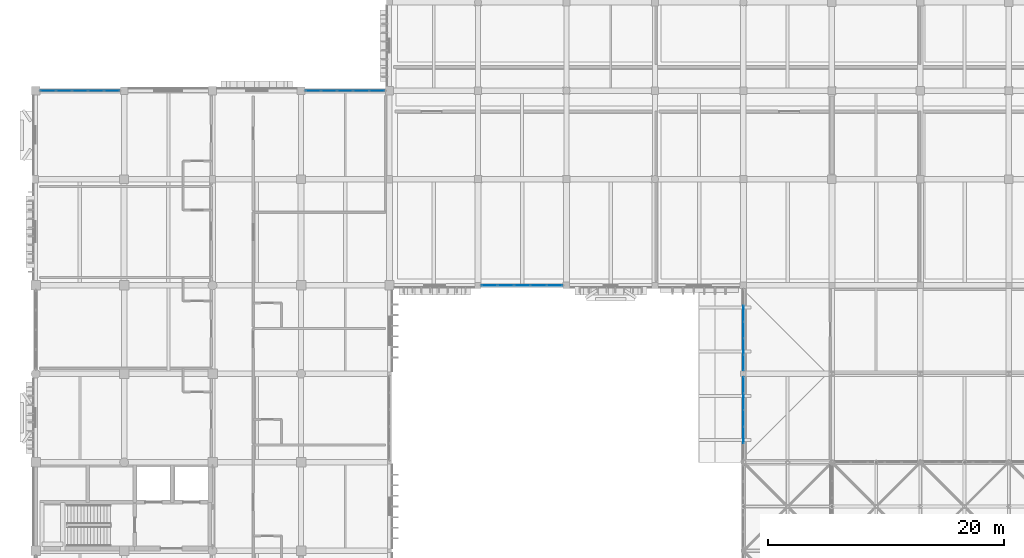
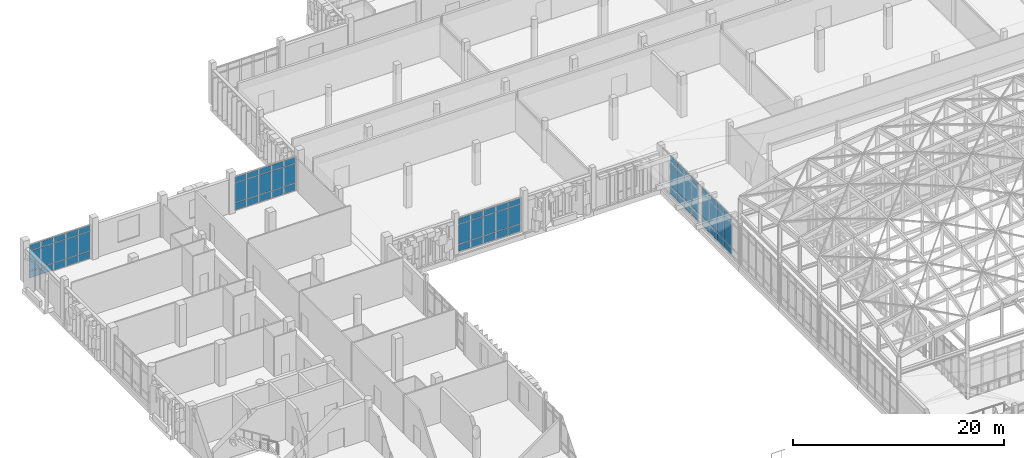
# One storey, part 87 of 131: 69 plates, 5 elements without a shape of their own.
"""IFC4 building model written with IfcOpenShell, lengths in metres."""

import ifcopenshell
import ifcopenshell.guid

model = None  # the IFC model being written
_history = None  # IfcOwnerHistory: only IFC2X3 demands one
_inside = {}  # id of a spatial element -> (the spatial element, [elements in it])
_under = {}  # id of a project, library or spatial element -> (it, [spatial elements below it])
_declared = {}  # id of a project -> (the project, [libraries it declares])
_typed = {}  # id of a type object -> (the type object, [elements of that type])
_made_of = {}  # id of a material, layer set ... -> (it, [elements and type objects made of it])


def new_model(schema):
    """Start an empty IFC model of exactly this schema.

    Asked for "IFC4X3", IfcOpenShell would pick the latest addendum, in which some entities
    have other attributes; the version numbers below select the first issue.
    IFC2X3 requires an IfcOwnerHistory on every rooted entity: one is made here for all.
    """
    global model, _history
    if schema == "IFC4X3":
        model = ifcopenshell.file(schema_version=(4, 3, 0, 0))
    else:
        model = ifcopenshell.file(schema=schema)
    _inside.clear()
    _under.clear()
    _declared.clear()
    _typed.clear()
    _made_of.clear()
    _history = None
    if model.schema == "IFC2X3":
        org = make("IfcOrganization", Name="unknown")
        user = make(
            "IfcPersonAndOrganization",
            ThePerson=make("IfcPerson", FamilyName="unknown"),
            TheOrganization=org,
        )
        app = make(
            "IfcApplication",
            ApplicationDeveloper=org,
            Version="unknown",
            ApplicationFullName="unknown",
            ApplicationIdentifier="unknown",
        )
        _history = make(
            "IfcOwnerHistory",
            OwningUser=user,
            OwningApplication=app,
            ChangeAction="ADDED",
            CreationDate=0,
        )
    return model


def make(cls, **values):
    """One entity of the class cls with the attributes given. An attribute that is None is left unset."""
    return model.create_entity(
        cls, **{name: value for name, value in values.items() if value is not None}
    )


def rooted(cls, **values):
    """An entity with a GlobalId (a new one), such as an element, a storey or a relation."""
    return make(cls, GlobalId=ifcopenshell.guid.new(), OwnerHistory=_history, **values)


def si_unit(unit_type, name, prefix=None):
    """IfcSIUnit, for example si_unit("LENGTHUNIT", "METRE", prefix="MILLI")."""
    return make("IfcSIUnit", UnitType=unit_type, Prefix=prefix, Name=name)


def assignment(units):
    """IfcUnitAssignment: the units of a project."""
    return None if units is None else make("IfcUnitAssignment", Units=units)


def point(xyz):
    """IfcCartesianPoint."""
    return None if xyz is None else make("IfcCartesianPoint", Coordinates=xyz)


def direction(xyz):
    """IfcDirection."""
    return None if xyz is None else make("IfcDirection", DirectionRatios=xyz)


def frame(location, z_axis=None, x_axis=None):
    """IfcAxis2Placement3D, a coordinate frame: its origin and axes. An axis left out is left unset."""
    return make(
        "IfcAxis2Placement3D",
        Location=point(location),
        Axis=direction(z_axis),
        RefDirection=direction(x_axis),
    )


def frame_2d(location, x_axis=None):
    """IfcAxis2Placement2D, a coordinate frame in the plane: its origin and x axis."""
    return make(
        "IfcAxis2Placement2D", Location=point(location), RefDirection=direction(x_axis)
    )


def origin():
    """The frame at (0, 0, 0) with its axes left unset."""
    return frame((0.0, 0.0, 0.0))


def origin_2d():
    """The frame at (0, 0) in the plane with its x axis left unset."""
    return frame_2d((0.0, 0.0))


def place(relative_to, where):
    """IfcLocalPlacement: puts the frame where relative to a parent placement (None: the world)."""
    return make(
        "IfcLocalPlacement", PlacementRelTo=relative_to, RelativePlacement=where
    )


def context(
    kind, dimensions, precision=None, world=None, true_north=None, identifier=None
):
    """IfcGeometricRepresentationContext, for example the 3D "Model" context."""
    return make(
        "IfcGeometricRepresentationContext",
        ContextIdentifier=identifier,
        ContextType=kind,
        CoordinateSpaceDimension=dimensions,
        Precision=precision,
        WorldCoordinateSystem=world,
        TrueNorth=true_north,
    )


def subcontext(parent, identifier, kind, view, scale=None):
    """IfcGeometricRepresentationSubContext, for example "Body" below "Model"."""
    return make(
        "IfcGeometricRepresentationSubContext",
        ContextIdentifier=identifier,
        ContextType=kind,
        ParentContext=parent,
        TargetScale=scale,
        TargetView=view,
    )


def project(units=None, contexts=None):
    """IfcProject with its units and contexts."""
    return rooted(
        "IfcProject",
        Name="project",
        RepresentationContexts=contexts,
        UnitsInContext=assignment(units),
    )


def spatial(cls, under=None, at=None, **own):
    """A site, building, storey or space (cls), placed at a placement, below another one or the project."""
    s = rooted(cls, ObjectPlacement=at, **own)
    if under is not None:
        _under.setdefault(under.id(), (under, []))[1].append(s)
    return s


def profile(cls, at=None, kind="AREA", **sizes):
    """A parametric profile (cls). Its sizes go by their IFC names, for example OverallWidth=200.0."""
    return make(cls, ProfileType=kind, Position=at, **sizes)


def rectangle(**sizes):
    """IfcRectangleProfileDef."""
    return profile("IfcRectangleProfileDef", **sizes)


def extrude(swept, where, along, depth):
    """IfcExtrudedAreaSolid: the profile swept, set in the frame where, extruded along a direction by depth."""
    return make(
        "IfcExtrudedAreaSolid",
        SweptArea=swept,
        Position=where,
        ExtrudedDirection=direction(along),
        Depth=depth,
    )


def shape(context_of_items, identifier, shape_type, items):
    """IfcShapeRepresentation: the items that make up one representation, for example the "Body"."""
    return make(
        "IfcShapeRepresentation",
        ContextOfItems=context_of_items,
        RepresentationIdentifier=identifier,
        RepresentationType=shape_type,
        Items=items,
    )


def material(Name=None, Category=None):
    """IfcMaterial."""
    return make("IfcMaterial", Name=Name, Category=Category)


def layer(
    of_material, thickness, ventilated=None, Name=None, Category=None, Priority=None
):
    """IfcMaterialLayer: one layer of a wall or slab, of a material (None: an air gap)."""
    return make(
        "IfcMaterialLayer",
        Material=of_material,
        LayerThickness=thickness,
        IsVentilated=ventilated,
        Name=Name,
        Category=Category,
        Priority=Priority,
    )


def layer_set(layers, Name=None):
    """IfcMaterialLayerSet."""
    return make("IfcMaterialLayerSet", MaterialLayers=layers, LayerSetName=Name)


def made_of(thing, what):
    """Note that an element or type object is made of a material, layer set ...; save() writes the relation."""
    if what is not None:
        _made_of.setdefault(what.id(), (what, []))[1].append(thing)
    return thing


def type_object(cls, material=None, **own):
    """A type object (cls), such as IfcWallType, which elements share."""
    return made_of(rooted(cls, **own), material)


def element(
    cls,
    number,
    at=None,
    inside=None,
    cuts=None,
    type_object=None,
    material=None,
    context=None,
    identifier="Body",
    shape_type=None,
    held_by="IfcProductDefinitionShape",
    body=None,
    shapes=None,
    **own,
):
    """One element of the class cls, such as IfcWall. Its Tag is "e" and its number.

    at: its placement. inside: the storey or other place that contains it. cuts: it is an
    opening in that element (IfcRelVoidsElement). A single representation is given by context,
    identifier, shape_type and body (its items); several are given by shapes. held_by: the class
    of the entity that holds the representations. save() writes the other relations.
    """
    e = rooted(cls, Tag="e%d" % number, ObjectPlacement=at, **own)
    if body is not None:
        shapes = [shape(context, identifier, shape_type, body)]
    if shapes is not None:
        e.Representation = make(held_by, Representations=shapes)
    if inside is not None:
        _inside.setdefault(inside.id(), (inside, []))[1].append(e)
    if cuts is not None:
        rooted(
            "IfcRelVoidsElement", RelatingBuildingElement=cuts, RelatedOpeningElement=e
        )
    if type_object is not None:
        _typed.setdefault(type_object.id(), (type_object, []))[1].append(e)
    return made_of(e, material)


def aggregate(whole, parts):
    """IfcRelAggregates: a whole, such as a stair, and the parts it consists of."""
    return rooted("IfcRelAggregates", RelatingObject=whole, RelatedObjects=parts)


def save(model, path):
    """Write the relations noted so far, then the file.

    IfcRelAggregates (storeys below a building ...), IfcRelContainedInSpatialStructure (elements
    in a storey), IfcRelDefinesByType, IfcRelAssociatesMaterial and IfcRelDeclares: one each for
    every whole, place, type object, material and project.
    """
    for whole, parts in _under.values():
        aggregate(whole, parts)
    for where, things in _inside.values():
        rooted(
            "IfcRelContainedInSpatialStructure",
            RelatedElements=things,
            RelatingStructure=where,
        )
    for kind, things in _typed.values():
        rooted("IfcRelDefinesByType", RelatedObjects=things, RelatingType=kind)
    for what, things in _made_of.values():
        rooted("IfcRelAssociatesMaterial", RelatedObjects=things, RelatingMaterial=what)
    for by, libraries in _declared.values():
        rooted("IfcRelDeclares", RelatingContext=by, RelatedDefinitions=libraries)
    model.write(path)


model = new_model("IFC4")

# Units and contexts
model_context = context("Model", 3, precision=1e-05, world=origin(), true_north=direction((0.0, 1.0)))
body_context = subcontext(model_context, "Body", "Model", "MODEL_VIEW")
ifc_project = project(units=[si_unit("LENGTHUNIT", "METRE"), si_unit("AREAUNIT", "SQUARE_METRE"), si_unit("VOLUMEUNIT", "CUBIC_METRE"), si_unit("PLANEANGLEUNIT", "RADIAN"), si_unit("MASSUNIT", "GRAM", prefix="KILO")], contexts=[model_context])

# Site, building, storey
site_placement = place(None, origin())
site = spatial("IfcSite", under=ifc_project, at=site_placement, CompositionType="ELEMENT")
building_placement = place(site_placement, origin())
building = spatial("IfcBuilding", under=site, at=building_placement, Name="Dalvernix Boulevard General Hospital", CompositionType="ELEMENT")
storey_placement = place(building_placement, frame((0.0, 0.0, 9.300048828125)))
storey = spatial("IfcBuildingStorey", under=building, at=storey_placement, Name="L02", CompositionType="ELEMENT", Elevation=9.300048828125)

# Curtain wall, plates
ifc_material_1 = material(Name="Thermally broken aluminium and solar-control glass curtain wall", Category="aluminium")
ifc_layer_1 = layer(ifc_material_1, 0.159912109375)
ifc_layer_set_1 = layer_set([ifc_layer_1], Name="Thermally broken aluminium and solar-control glass curtain wall (CW-CW-A-71x46)")
curtain_wall_type_1 = type_object("IfcCurtainWallType", Name="CW-CW-A-71x46", PredefinedType="USERDEFINED", material=ifc_layer_set_1)
curtain_wall_1_placement = place(storey_placement, origin())
curtain_wall_1 = element("IfcCurtainWall", 1, at=curtain_wall_1_placement, inside=storey, type_object=curtain_wall_type_1, Name="L02 curtain wall CW-A-71x46 8-8", ObjectType="GLAZED FACADE", PredefinedType="USERDEFINED")
ifc_material_2 = material(Name="Double-glazed solar-control low-emissivity glass", Category="glass")
ifc_layer_2 = layer(ifc_material_2, 0.02392578125)
ifc_layer_set_2 = layer_set([ifc_layer_2], Name="Double-glazed solar-control low-emissivity glass (PLT-CW-P1)")
plate_type_1 = type_object("IfcPlateType", Name="PLT-CW-P1", PredefinedType="CURTAIN_PANEL", material=ifc_layer_set_2)
plate_1_placement = place(storey_placement, frame((60.0, 63.8125, 0.059814453125), z_axis=(0.0, 0.0, 1.0), x_axis=(0.0, 1.0, 0.0)))
plate_1 = element("IfcPlate", 2, at=plate_1_placement, type_object=plate_type_1, Name="CW-A-71x46 panel 2.1", PredefinedType="CURTAIN_PANEL", context=body_context, shape_type="SweptSolid", body=[
    extrude(rectangle(XDim=1.35498046875, YDim=0.02392578125, at=origin_2d()), origin(), (0.0, 0.0, 1.0), 0.81005859375),
])
plate_2_placement = place(storey_placement, frame((60.0, 63.8125, 0.9296875), z_axis=(0.0, 0.0, 1.0), x_axis=(0.0, 1.0, 0.0)))
plate_2 = element("IfcPlate", 3, at=plate_2_placement, type_object=plate_type_1, Name="CW-A-71x46 panel 2.2", PredefinedType="CURTAIN_PANEL", context=body_context, shape_type="SweptSolid", body=[
    extrude(rectangle(XDim=1.35498046875, YDim=0.02392578125, at=origin_2d()), origin(), (0.0, 0.0, 1.0), 2.840087890625),
])
plate_3_placement = place(storey_placement, frame((60.0, 63.8125, 3.830078125), z_axis=(0.0, 0.0, 1.0), x_axis=(0.0, 1.0, 0.0)))
plate_3 = element("IfcPlate", 4, at=plate_3_placement, type_object=plate_type_1, Name="CW-A-71x46 panel 2.3", PredefinedType="CURTAIN_PANEL", context=body_context, shape_type="SweptSolid", body=[
    extrude(rectangle(XDim=1.35498046875, YDim=0.02392578125, at=origin_2d()), origin(), (0.0, 0.0, 1.0), 0.659912109375),
])
plate_4_placement = place(storey_placement, frame((60.0, 65.2275390625, 0.059814453125), z_axis=(0.0, 0.0, 1.0), x_axis=(0.0, 1.0, 0.0)))
plate_4 = element("IfcPlate", 5, at=plate_4_placement, type_object=plate_type_1, Name="CW-A-71x46 panel 3.1", PredefinedType="CURTAIN_PANEL", context=body_context, shape_type="SweptSolid", body=[
    extrude(rectangle(XDim=1.35498046875, YDim=0.02392578125, at=origin_2d()), origin(), (0.0, 0.0, 1.0), 0.81005859375),
])
plate_5_placement = place(storey_placement, frame((60.0, 65.2275390625, 0.9296875), z_axis=(0.0, 0.0, 1.0), x_axis=(0.0, 1.0, 0.0)))
plate_5 = element("IfcPlate", 6, at=plate_5_placement, type_object=plate_type_1, Name="CW-A-71x46 panel 3.2", PredefinedType="CURTAIN_PANEL", context=body_context, shape_type="SweptSolid", body=[
    extrude(rectangle(XDim=1.35498046875, YDim=0.02392578125, at=origin_2d()), origin(), (0.0, 0.0, 1.0), 2.840087890625),
])
plate_6_placement = place(storey_placement, frame((60.0, 65.2275390625, 3.830078125), z_axis=(0.0, 0.0, 1.0), x_axis=(0.0, 1.0, 0.0)))
plate_6 = element("IfcPlate", 7, at=plate_6_placement, type_object=plate_type_1, Name="CW-A-71x46 panel 3.3", PredefinedType="CURTAIN_PANEL", context=body_context, shape_type="SweptSolid", body=[
    extrude(rectangle(XDim=1.35498046875, YDim=0.02392578125, at=origin_2d()), origin(), (0.0, 0.0, 1.0), 0.659912109375),
])
plate_7_placement = place(storey_placement, frame((60.0, 66.642578125, 0.059814453125), z_axis=(0.0, 0.0, 1.0), x_axis=(0.0, 1.0, 0.0)))
plate_7 = element("IfcPlate", 8, at=plate_7_placement, type_object=plate_type_1, Name="CW-A-71x46 panel 4.1", PredefinedType="CURTAIN_PANEL", context=body_context, shape_type="SweptSolid", body=[
    extrude(rectangle(XDim=1.35498046875, YDim=0.02392578125, at=origin_2d()), origin(), (0.0, 0.0, 1.0), 0.81005859375),
])
plate_8_placement = place(storey_placement, frame((60.0, 66.642578125, 0.9296875), z_axis=(0.0, 0.0, 1.0), x_axis=(0.0, 1.0, 0.0)))
plate_8 = element("IfcPlate", 9, at=plate_8_placement, type_object=plate_type_1, Name="CW-A-71x46 panel 4.2", PredefinedType="CURTAIN_PANEL", context=body_context, shape_type="SweptSolid", body=[
    extrude(rectangle(XDim=1.35498046875, YDim=0.02392578125, at=origin_2d()), origin(), (0.0, 0.0, 1.0), 2.840087890625),
])
plate_9_placement = place(storey_placement, frame((60.0, 66.642578125, 3.830078125), z_axis=(0.0, 0.0, 1.0), x_axis=(0.0, 1.0, 0.0)))
plate_9 = element("IfcPlate", 10, at=plate_9_placement, type_object=plate_type_1, Name="CW-A-71x46 panel 4.3", PredefinedType="CURTAIN_PANEL", context=body_context, shape_type="SweptSolid", body=[
    extrude(rectangle(XDim=1.35498046875, YDim=0.02392578125, at=origin_2d()), origin(), (0.0, 0.0, 1.0), 0.659912109375),
])
plate_10_placement = place(storey_placement, frame((60.0, 68.04248046875, 0.059814453125), z_axis=(0.0, 0.0, 1.0), x_axis=(0.0, 1.0, 0.0)))
plate_10 = element("IfcPlate", 11, at=plate_10_placement, type_object=plate_type_1, Name="CW-A-71x46 panel 5.1", PredefinedType="CURTAIN_PANEL", context=body_context, shape_type="SweptSolid", body=[
    extrude(rectangle(XDim=1.324951171875, YDim=0.02392578125, at=origin_2d()), origin(), (0.0, 0.0, 1.0), 0.81005859375),
])
plate_11_placement = place(storey_placement, frame((60.0, 68.04248046875, 0.9296875), z_axis=(0.0, 0.0, 1.0), x_axis=(0.0, 1.0, 0.0)))
plate_11 = element("IfcPlate", 12, at=plate_11_placement, type_object=plate_type_1, Name="CW-A-71x46 panel 5.2", PredefinedType="CURTAIN_PANEL", context=body_context, shape_type="SweptSolid", body=[
    extrude(rectangle(XDim=1.324951171875, YDim=0.02392578125, at=origin_2d()), origin(), (0.0, 0.0, 1.0), 2.840087890625),
])
plate_12_placement = place(storey_placement, frame((60.0, 68.04248046875, 3.830078125), z_axis=(0.0, 0.0, 1.0), x_axis=(0.0, 1.0, 0.0)))
plate_12 = element("IfcPlate", 13, at=plate_12_placement, type_object=plate_type_1, Name="CW-A-71x46 panel 5.3", PredefinedType="CURTAIN_PANEL", context=body_context, shape_type="SweptSolid", body=[
    extrude(rectangle(XDim=1.324951171875, YDim=0.02392578125, at=origin_2d()), origin(), (0.0, 0.0, 1.0), 0.659912109375),
])
aggregate(curtain_wall_1, [plate_1, plate_2, plate_3, plate_4, plate_5, plate_6, plate_7, plate_8, plate_9, plate_10, plate_11, plate_12])

ifc_layer_3 = layer(ifc_material_1, 0.179931640625)
ifc_layer_set_3 = layer_set([ifc_layer_3], Name="Thermally broken aluminium and solar-control glass curtain wall (CW-CW-B-70x46)")
curtain_wall_type_2 = type_object("IfcCurtainWallType", Name="CW-CW-B-70x46", PredefinedType="USERDEFINED", material=ifc_layer_set_3)
curtain_wall_2_placement = place(storey_placement, origin())
curtain_wall_2 = element("IfcCurtainWall", 14, at=curtain_wall_2_placement, inside=storey, type_object=curtain_wall_type_2, Name="L02 curtain wall CW-B-70x46 8-9", ObjectType="GLAZED FACADE", PredefinedType="USERDEFINED")
ifc_layer_4 = layer(ifc_material_2, 0.028076171875)
ifc_layer_set_4 = layer_set([ifc_layer_4], Name="Double-glazed solar-control low-emissivity glass (PLT-CW-P2)")
plate_type_2 = type_object("IfcPlateType", Name="PLT-CW-P2", PredefinedType="CURTAIN_PANEL", material=ifc_layer_set_4)
plate_13_placement = place(storey_placement, frame((60.0, 69.94921875, 0.06494140625), z_axis=(0.0, 0.0, 1.0), x_axis=(0.0, 1.0, 0.0)))
plate_13 = element("IfcPlate", 15, at=plate_13_placement, type_object=plate_type_2, Name="CW-B-70x46 panel 1.1", PredefinedType="CURTAIN_PANEL", context=body_context, shape_type="SweptSolid", body=[
    extrude(rectangle(XDim=1.298583984375, YDim=0.028076171875, at=origin_2d()), origin(), (0.0, 0.0, 1.0), 0.802490234375),
])
plate_14_placement = place(storey_placement, frame((60.0, 69.94921875, 0.932373046875), z_axis=(0.0, 0.0, 1.0), x_axis=(0.0, 1.0, 0.0)))
plate_14 = element("IfcPlate", 16, at=plate_14_placement, type_object=plate_type_2, Name="CW-B-70x46 panel 1.2", PredefinedType="CURTAIN_PANEL", context=body_context, shape_type="SweptSolid", body=[
    extrude(rectangle(XDim=1.298583984375, YDim=0.028076171875, at=origin_2d()), origin(), (0.0, 0.0, 1.0), 2.8349609375),
])
plate_15_placement = place(storey_placement, frame((60.0, 69.94921875, 3.83251953125), z_axis=(0.0, 0.0, 1.0), x_axis=(0.0, 1.0, 0.0)))
plate_15 = element("IfcPlate", 17, at=plate_15_placement, type_object=plate_type_2, Name="CW-B-70x46 panel 1.3", PredefinedType="CURTAIN_PANEL", context=body_context, shape_type="SweptSolid", body=[
    extrude(rectangle(XDim=1.298583984375, YDim=0.028076171875, at=origin_2d()), origin(), (0.0, 0.0, 1.0), 0.652587890625),
])
plate_16_placement = place(storey_placement, frame((60.0, 71.3291015625, 0.06494140625), z_axis=(0.0, 0.0, 1.0), x_axis=(0.0, 1.0, 0.0)))
plate_16 = element("IfcPlate", 18, at=plate_16_placement, type_object=plate_type_2, Name="CW-B-70x46 panel 2.1", PredefinedType="CURTAIN_PANEL", context=body_context, shape_type="SweptSolid", body=[
    extrude(rectangle(XDim=1.3310546875, YDim=0.028076171875, at=origin_2d()), origin(), (0.0, 0.0, 1.0), 0.802490234375),
])
plate_17_placement = place(storey_placement, frame((60.0, 71.3291015625, 0.932373046875), z_axis=(0.0, 0.0, 1.0), x_axis=(0.0, 1.0, 0.0)))
plate_17 = element("IfcPlate", 19, at=plate_17_placement, type_object=plate_type_2, Name="CW-B-70x46 panel 2.2", PredefinedType="CURTAIN_PANEL", context=body_context, shape_type="SweptSolid", body=[
    extrude(rectangle(XDim=1.3310546875, YDim=0.028076171875, at=origin_2d()), origin(), (0.0, 0.0, 1.0), 2.8349609375),
])
plate_18_placement = place(storey_placement, frame((60.0, 71.3291015625, 3.83251953125), z_axis=(0.0, 0.0, 1.0), x_axis=(0.0, 1.0, 0.0)))
plate_18 = element("IfcPlate", 20, at=plate_18_placement, type_object=plate_type_2, Name="CW-B-70x46 panel 2.3", PredefinedType="CURTAIN_PANEL", context=body_context, shape_type="SweptSolid", body=[
    extrude(rectangle(XDim=1.3310546875, YDim=0.028076171875, at=origin_2d()), origin(), (0.0, 0.0, 1.0), 0.652587890625),
])
plate_19_placement = place(storey_placement, frame((60.0, 72.72509765625, 0.06494140625), z_axis=(0.0, 0.0, 1.0), x_axis=(0.0, 1.0, 0.0)))
plate_19 = element("IfcPlate", 21, at=plate_19_placement, type_object=plate_type_2, Name="CW-B-70x46 panel 3.1", PredefinedType="CURTAIN_PANEL", context=body_context, shape_type="SweptSolid", body=[
    extrude(rectangle(XDim=1.3310546875, YDim=0.028076171875, at=origin_2d()), origin(), (0.0, 0.0, 1.0), 0.802490234375),
])
plate_20_placement = place(storey_placement, frame((60.0, 72.72509765625, 0.932373046875), z_axis=(0.0, 0.0, 1.0), x_axis=(0.0, 1.0, 0.0)))
plate_20 = element("IfcPlate", 22, at=plate_20_placement, type_object=plate_type_2, Name="CW-B-70x46 panel 3.2", PredefinedType="CURTAIN_PANEL", context=body_context, shape_type="SweptSolid", body=[
    extrude(rectangle(XDim=1.3310546875, YDim=0.028076171875, at=origin_2d()), origin(), (0.0, 0.0, 1.0), 2.8349609375),
])
plate_21_placement = place(storey_placement, frame((60.0, 72.72509765625, 3.83251953125), z_axis=(0.0, 0.0, 1.0), x_axis=(0.0, 1.0, 0.0)))
plate_21 = element("IfcPlate", 23, at=plate_21_placement, type_object=plate_type_2, Name="CW-B-70x46 panel 3.3", PredefinedType="CURTAIN_PANEL", context=body_context, shape_type="SweptSolid", body=[
    extrude(rectangle(XDim=1.3310546875, YDim=0.028076171875, at=origin_2d()), origin(), (0.0, 0.0, 1.0), 0.652587890625),
])
plate_22_placement = place(storey_placement, frame((60.0, 74.12109375, 0.06494140625), z_axis=(0.0, 0.0, 1.0), x_axis=(0.0, 1.0, 0.0)))
plate_22 = element("IfcPlate", 24, at=plate_22_placement, type_object=plate_type_2, Name="CW-B-70x46 panel 4.1", PredefinedType="CURTAIN_PANEL", context=body_context, shape_type="SweptSolid", body=[
    extrude(rectangle(XDim=1.3310546875, YDim=0.028076171875, at=origin_2d()), origin(), (0.0, 0.0, 1.0), 0.802490234375),
])
plate_23_placement = place(storey_placement, frame((60.0, 74.12109375, 0.932373046875), z_axis=(0.0, 0.0, 1.0), x_axis=(0.0, 1.0, 0.0)))
plate_23 = element("IfcPlate", 25, at=plate_23_placement, type_object=plate_type_2, Name="CW-B-70x46 panel 4.2", PredefinedType="CURTAIN_PANEL", context=body_context, shape_type="SweptSolid", body=[
    extrude(rectangle(XDim=1.3310546875, YDim=0.028076171875, at=origin_2d()), origin(), (0.0, 0.0, 1.0), 2.8349609375),
])
plate_24_placement = place(storey_placement, frame((60.0, 74.12109375, 3.83251953125), z_axis=(0.0, 0.0, 1.0), x_axis=(0.0, 1.0, 0.0)))
plate_24 = element("IfcPlate", 26, at=plate_24_placement, type_object=plate_type_2, Name="CW-B-70x46 panel 4.3", PredefinedType="CURTAIN_PANEL", context=body_context, shape_type="SweptSolid", body=[
    extrude(rectangle(XDim=1.3310546875, YDim=0.028076171875, at=origin_2d()), origin(), (0.0, 0.0, 1.0), 0.652587890625),
])
aggregate(curtain_wall_2, [plate_13, plate_14, plate_15, plate_16, plate_17, plate_18, plate_19, plate_20, plate_21, plate_22, plate_23, plate_24])

ifc_layer_5 = layer(ifc_material_1, 0.199951171875)
ifc_layer_set_5 = layer_set([ifc_layer_5], Name="Thermally broken aluminium and solar-control glass curtain wall (CW-CW-C-68x40)")
curtain_wall_type_3 = type_object("IfcCurtainWallType", Name="CW-CW-C-68x40", PredefinedType="USERDEFINED", material=ifc_layer_set_5)
curtain_wall_3_placement = place(storey_placement, origin())
curtain_wall_3 = element("IfcCurtainWall", 27, at=curtain_wall_3_placement, inside=storey, type_object=curtain_wall_type_3, Name="L02 curtain wall CW-C-68x40 0-12", ObjectType="GLAZED FACADE", PredefinedType="USERDEFINED")
ifc_layer_6 = layer(ifc_material_2, 0.035888671875)
ifc_layer_set_6 = layer_set([ifc_layer_6], Name="Double-glazed solar-control low-emissivity glass (PLT-CW-P3)")
plate_type_3 = type_object("IfcPlateType", Name="PLT-CW-P3", PredefinedType="CURTAIN_PANEL", material=ifc_layer_set_6)
plate_25_placement = place(storey_placement, frame((1.05810546875, 93.0, 0.070068359375), z_axis=(0.0, 0.0, 1.0), x_axis=(1.0, 0.0, 0.0)))
plate_25 = element("IfcPlate", 28, at=plate_25_placement, type_object=plate_type_3, Name="CW-C-68x40 panel 1.1", PredefinedType="CURTAIN_PANEL", context=body_context, shape_type="SweptSolid", body=[
    extrude(rectangle(XDim=1.256103515625, YDim=0.035888671875, at=origin_2d()), origin(), (0.0, 0.0, 1.0), 0.794921875),
])
plate_26_placement = place(storey_placement, frame((1.05810546875, 93.0, 0.93505859375), z_axis=(0.0, 0.0, 1.0), x_axis=(1.0, 0.0, 0.0)))
plate_26 = element("IfcPlate", 29, at=plate_26_placement, type_object=plate_type_3, Name="CW-C-68x40 panel 1.2", PredefinedType="CURTAIN_PANEL", context=body_context, shape_type="SweptSolid", body=[
    extrude(rectangle(XDim=1.256103515625, YDim=0.035888671875, at=origin_2d()), origin(), (0.0, 0.0, 1.0), 2.22998046875),
])
plate_27_placement = place(storey_placement, frame((1.05810546875, 93.0, 3.23486328125), z_axis=(0.0, 0.0, 1.0), x_axis=(1.0, 0.0, 0.0)))
plate_27 = element("IfcPlate", 30, at=plate_27_placement, type_object=plate_type_3, Name="CW-C-68x40 panel 1.3", PredefinedType="CURTAIN_PANEL", context=body_context, shape_type="SweptSolid", body=[
    extrude(rectangle(XDim=1.256103515625, YDim=0.035888671875, at=origin_2d()), origin(), (0.0, 0.0, 1.0), 0.64501953125),
])
plate_28_placement = place(storey_placement, frame((2.401611328125, 93.0, 0.070068359375), z_axis=(0.0, 0.0, 1.0), x_axis=(1.0, 0.0, 0.0)))
plate_28 = element("IfcPlate", 31, at=plate_28_placement, type_object=plate_type_3, Name="CW-C-68x40 panel 2.1", PredefinedType="CURTAIN_PANEL", context=body_context, shape_type="SweptSolid", body=[
    extrude(rectangle(XDim=1.291015625, YDim=0.035888671875, at=origin_2d()), origin(), (0.0, 0.0, 1.0), 0.794921875),
])
plate_29_placement = place(storey_placement, frame((2.401611328125, 93.0, 0.93505859375), z_axis=(0.0, 0.0, 1.0), x_axis=(1.0, 0.0, 0.0)))
plate_29 = element("IfcPlate", 32, at=plate_29_placement, type_object=plate_type_3, Name="CW-C-68x40 panel 2.2", PredefinedType="CURTAIN_PANEL", context=body_context, shape_type="SweptSolid", body=[
    extrude(rectangle(XDim=1.291015625, YDim=0.035888671875, at=origin_2d()), origin(), (0.0, 0.0, 1.0), 2.22998046875),
])
plate_30_placement = place(storey_placement, frame((2.401611328125, 93.0, 3.23486328125), z_axis=(0.0, 0.0, 1.0), x_axis=(1.0, 0.0, 0.0)))
plate_30 = element("IfcPlate", 33, at=plate_30_placement, type_object=plate_type_3, Name="CW-C-68x40 panel 2.3", PredefinedType="CURTAIN_PANEL", context=body_context, shape_type="SweptSolid", body=[
    extrude(rectangle(XDim=1.291015625, YDim=0.035888671875, at=origin_2d()), origin(), (0.0, 0.0, 1.0), 0.64501953125),
])
plate_31_placement = place(storey_placement, frame((3.762451171875, 93.0, 0.070068359375), z_axis=(0.0, 0.0, 1.0), x_axis=(1.0, 0.0, 0.0)))
plate_31 = element("IfcPlate", 34, at=plate_31_placement, type_object=plate_type_3, Name="CW-C-68x40 panel 3.1", PredefinedType="CURTAIN_PANEL", context=body_context, shape_type="SweptSolid", body=[
    extrude(rectangle(XDim=1.291015625, YDim=0.035888671875, at=origin_2d()), origin(), (0.0, 0.0, 1.0), 0.794921875),
])
plate_32_placement = place(storey_placement, frame((3.762451171875, 93.0, 0.93505859375), z_axis=(0.0, 0.0, 1.0), x_axis=(1.0, 0.0, 0.0)))
plate_32 = element("IfcPlate", 35, at=plate_32_placement, type_object=plate_type_3, Name="CW-C-68x40 panel 3.2", PredefinedType="CURTAIN_PANEL", context=body_context, shape_type="SweptSolid", body=[
    extrude(rectangle(XDim=1.291015625, YDim=0.035888671875, at=origin_2d()), origin(), (0.0, 0.0, 1.0), 2.22998046875),
])
plate_33_placement = place(storey_placement, frame((3.762451171875, 93.0, 3.23486328125), z_axis=(0.0, 0.0, 1.0), x_axis=(1.0, 0.0, 0.0)))
plate_33 = element("IfcPlate", 36, at=plate_33_placement, type_object=plate_type_3, Name="CW-C-68x40 panel 3.3", PredefinedType="CURTAIN_PANEL", context=body_context, shape_type="SweptSolid", body=[
    extrude(rectangle(XDim=1.291015625, YDim=0.035888671875, at=origin_2d()), origin(), (0.0, 0.0, 1.0), 0.64501953125),
])
plate_34_placement = place(storey_placement, frame((5.12353515625, 93.0, 0.070068359375), z_axis=(0.0, 0.0, 1.0), x_axis=(1.0, 0.0, 0.0)))
plate_34 = element("IfcPlate", 37, at=plate_34_placement, type_object=plate_type_3, Name="CW-C-68x40 panel 4.1", PredefinedType="CURTAIN_PANEL", context=body_context, shape_type="SweptSolid", body=[
    extrude(rectangle(XDim=1.291015625, YDim=0.035888671875, at=origin_2d()), origin(), (0.0, 0.0, 1.0), 0.794921875),
])
plate_35_placement = place(storey_placement, frame((5.12353515625, 93.0, 0.93505859375), z_axis=(0.0, 0.0, 1.0), x_axis=(1.0, 0.0, 0.0)))
plate_35 = element("IfcPlate", 38, at=plate_35_placement, type_object=plate_type_3, Name="CW-C-68x40 panel 4.2", PredefinedType="CURTAIN_PANEL", context=body_context, shape_type="SweptSolid", body=[
    extrude(rectangle(XDim=1.291015625, YDim=0.035888671875, at=origin_2d()), origin(), (0.0, 0.0, 1.0), 2.22998046875),
])
plate_36_placement = place(storey_placement, frame((5.12353515625, 93.0, 3.23486328125), z_axis=(0.0, 0.0, 1.0), x_axis=(1.0, 0.0, 0.0)))
plate_36 = element("IfcPlate", 39, at=plate_36_placement, type_object=plate_type_3, Name="CW-C-68x40 panel 4.3", PredefinedType="CURTAIN_PANEL", context=body_context, shape_type="SweptSolid", body=[
    extrude(rectangle(XDim=1.291015625, YDim=0.035888671875, at=origin_2d()), origin(), (0.0, 0.0, 1.0), 0.64501953125),
])
plate_37_placement = place(storey_placement, frame((6.467041015625, 93.0, 0.070068359375), z_axis=(0.0, 0.0, 1.0), x_axis=(1.0, 0.0, 0.0)))
plate_37 = element("IfcPlate", 40, at=plate_37_placement, type_object=plate_type_3, Name="CW-C-68x40 panel 5.1", PredefinedType="CURTAIN_PANEL", context=body_context, shape_type="SweptSolid", body=[
    extrude(rectangle(XDim=1.256103515625, YDim=0.035888671875, at=origin_2d()), origin(), (0.0, 0.0, 1.0), 0.794921875),
])
plate_38_placement = place(storey_placement, frame((6.467041015625, 93.0, 0.93505859375), z_axis=(0.0, 0.0, 1.0), x_axis=(1.0, 0.0, 0.0)))
plate_38 = element("IfcPlate", 41, at=plate_38_placement, type_object=plate_type_3, Name="CW-C-68x40 panel 5.2", PredefinedType="CURTAIN_PANEL", context=body_context, shape_type="SweptSolid", body=[
    extrude(rectangle(XDim=1.256103515625, YDim=0.035888671875, at=origin_2d()), origin(), (0.0, 0.0, 1.0), 2.22998046875),
])
plate_39_placement = place(storey_placement, frame((6.467041015625, 93.0, 3.23486328125), z_axis=(0.0, 0.0, 1.0), x_axis=(1.0, 0.0, 0.0)))
plate_39 = element("IfcPlate", 42, at=plate_39_placement, type_object=plate_type_3, Name="CW-C-68x40 panel 5.3", PredefinedType="CURTAIN_PANEL", context=body_context, shape_type="SweptSolid", body=[
    extrude(rectangle(XDim=1.256103515625, YDim=0.035888671875, at=origin_2d()), origin(), (0.0, 0.0, 1.0), 0.64501953125),
])
aggregate(curtain_wall_3, [plate_25, plate_26, plate_27, plate_28, plate_29, plate_30, plate_31, plate_32, plate_33, plate_34, plate_35, plate_36, plate_37, plate_38, plate_39])

curtain_wall_4_placement = place(storey_placement, origin())
curtain_wall_4 = element("IfcCurtainWall", 43, at=curtain_wall_4_placement, inside=storey, type_object=curtain_wall_type_3, Name="L02 curtain wall CW-C-68x40 3-12", ObjectType="GLAZED FACADE", PredefinedType="USERDEFINED")
plate_40_placement = place(storey_placement, frame((23.532958984375, 93.0, 0.070068359375), z_axis=(0.0, 0.0, 1.0), x_axis=(1.0, 0.0, 0.0)))
plate_40 = element("IfcPlate", 44, at=plate_40_placement, type_object=plate_type_3, Name="CW-C-68x40 panel 1.1", PredefinedType="CURTAIN_PANEL", context=body_context, shape_type="SweptSolid", body=[
    extrude(rectangle(XDim=1.256103515625, YDim=0.035888671875, at=origin_2d()), origin(), (0.0, 0.0, 1.0), 0.794921875),
])
plate_41_placement = place(storey_placement, frame((23.532958984375, 93.0, 0.93505859375), z_axis=(0.0, 0.0, 1.0), x_axis=(1.0, 0.0, 0.0)))
plate_41 = element("IfcPlate", 45, at=plate_41_placement, type_object=plate_type_3, Name="CW-C-68x40 panel 1.2", PredefinedType="CURTAIN_PANEL", context=body_context, shape_type="SweptSolid", body=[
    extrude(rectangle(XDim=1.256103515625, YDim=0.035888671875, at=origin_2d()), origin(), (0.0, 0.0, 1.0), 2.22998046875),
])
plate_42_placement = place(storey_placement, frame((23.532958984375, 93.0, 3.23486328125), z_axis=(0.0, 0.0, 1.0), x_axis=(1.0, 0.0, 0.0)))
plate_42 = element("IfcPlate", 46, at=plate_42_placement, type_object=plate_type_3, Name="CW-C-68x40 panel 1.3", PredefinedType="CURTAIN_PANEL", context=body_context, shape_type="SweptSolid", body=[
    extrude(rectangle(XDim=1.256103515625, YDim=0.035888671875, at=origin_2d()), origin(), (0.0, 0.0, 1.0), 0.64501953125),
])
plate_43_placement = place(storey_placement, frame((24.87646484375, 93.0, 0.070068359375), z_axis=(0.0, 0.0, 1.0), x_axis=(1.0, 0.0, 0.0)))
plate_43 = element("IfcPlate", 47, at=plate_43_placement, type_object=plate_type_3, Name="CW-C-68x40 panel 2.1", PredefinedType="CURTAIN_PANEL", context=body_context, shape_type="SweptSolid", body=[
    extrude(rectangle(XDim=1.291015625, YDim=0.035888671875, at=origin_2d()), origin(), (0.0, 0.0, 1.0), 0.794921875),
])
plate_44_placement = place(storey_placement, frame((24.87646484375, 93.0, 0.93505859375), z_axis=(0.0, 0.0, 1.0), x_axis=(1.0, 0.0, 0.0)))
plate_44 = element("IfcPlate", 48, at=plate_44_placement, type_object=plate_type_3, Name="CW-C-68x40 panel 2.2", PredefinedType="CURTAIN_PANEL", context=body_context, shape_type="SweptSolid", body=[
    extrude(rectangle(XDim=1.291015625, YDim=0.035888671875, at=origin_2d()), origin(), (0.0, 0.0, 1.0), 2.22998046875),
])
plate_45_placement = place(storey_placement, frame((24.87646484375, 93.0, 3.23486328125), z_axis=(0.0, 0.0, 1.0), x_axis=(1.0, 0.0, 0.0)))
plate_45 = element("IfcPlate", 49, at=plate_45_placement, type_object=plate_type_3, Name="CW-C-68x40 panel 2.3", PredefinedType="CURTAIN_PANEL", context=body_context, shape_type="SweptSolid", body=[
    extrude(rectangle(XDim=1.291015625, YDim=0.035888671875, at=origin_2d()), origin(), (0.0, 0.0, 1.0), 0.64501953125),
])
plate_46_placement = place(storey_placement, frame((26.237548828125, 93.0, 0.070068359375), z_axis=(0.0, 0.0, 1.0), x_axis=(1.0, 0.0, 0.0)))
plate_46 = element("IfcPlate", 50, at=plate_46_placement, type_object=plate_type_3, Name="CW-C-68x40 panel 3.1", PredefinedType="CURTAIN_PANEL", context=body_context, shape_type="SweptSolid", body=[
    extrude(rectangle(XDim=1.291015625, YDim=0.035888671875, at=origin_2d()), origin(), (0.0, 0.0, 1.0), 0.794921875),
])
plate_47_placement = place(storey_placement, frame((26.237548828125, 93.0, 0.93505859375), z_axis=(0.0, 0.0, 1.0), x_axis=(1.0, 0.0, 0.0)))
plate_47 = element("IfcPlate", 51, at=plate_47_placement, type_object=plate_type_3, Name="CW-C-68x40 panel 3.2", PredefinedType="CURTAIN_PANEL", context=body_context, shape_type="SweptSolid", body=[
    extrude(rectangle(XDim=1.291015625, YDim=0.035888671875, at=origin_2d()), origin(), (0.0, 0.0, 1.0), 2.22998046875),
])
plate_48_placement = place(storey_placement, frame((26.237548828125, 93.0, 3.23486328125), z_axis=(0.0, 0.0, 1.0), x_axis=(1.0, 0.0, 0.0)))
plate_48 = element("IfcPlate", 52, at=plate_48_placement, type_object=plate_type_3, Name="CW-C-68x40 panel 3.3", PredefinedType="CURTAIN_PANEL", context=body_context, shape_type="SweptSolid", body=[
    extrude(rectangle(XDim=1.291015625, YDim=0.035888671875, at=origin_2d()), origin(), (0.0, 0.0, 1.0), 0.64501953125),
])
plate_49_placement = place(storey_placement, frame((27.598388671875, 93.0, 0.070068359375), z_axis=(0.0, 0.0, 1.0), x_axis=(1.0, 0.0, 0.0)))
plate_49 = element("IfcPlate", 53, at=plate_49_placement, type_object=plate_type_3, Name="CW-C-68x40 panel 4.1", PredefinedType="CURTAIN_PANEL", context=body_context, shape_type="SweptSolid", body=[
    extrude(rectangle(XDim=1.291015625, YDim=0.035888671875, at=origin_2d()), origin(), (0.0, 0.0, 1.0), 0.794921875),
])
plate_50_placement = place(storey_placement, frame((27.598388671875, 93.0, 0.93505859375), z_axis=(0.0, 0.0, 1.0), x_axis=(1.0, 0.0, 0.0)))
plate_50 = element("IfcPlate", 54, at=plate_50_placement, type_object=plate_type_3, Name="CW-C-68x40 panel 4.2", PredefinedType="CURTAIN_PANEL", context=body_context, shape_type="SweptSolid", body=[
    extrude(rectangle(XDim=1.291015625, YDim=0.035888671875, at=origin_2d()), origin(), (0.0, 0.0, 1.0), 2.22998046875),
])
plate_51_placement = place(storey_placement, frame((27.598388671875, 93.0, 3.23486328125), z_axis=(0.0, 0.0, 1.0), x_axis=(1.0, 0.0, 0.0)))
plate_51 = element("IfcPlate", 55, at=plate_51_placement, type_object=plate_type_3, Name="CW-C-68x40 panel 4.3", PredefinedType="CURTAIN_PANEL", context=body_context, shape_type="SweptSolid", body=[
    extrude(rectangle(XDim=1.291015625, YDim=0.035888671875, at=origin_2d()), origin(), (0.0, 0.0, 1.0), 0.64501953125),
])
plate_52_placement = place(storey_placement, frame((28.94189453125, 93.0, 0.070068359375), z_axis=(0.0, 0.0, 1.0), x_axis=(1.0, 0.0, 0.0)))
plate_52 = element("IfcPlate", 56, at=plate_52_placement, type_object=plate_type_3, Name="CW-C-68x40 panel 5.1", PredefinedType="CURTAIN_PANEL", context=body_context, shape_type="SweptSolid", body=[
    extrude(rectangle(XDim=1.256103515625, YDim=0.035888671875, at=origin_2d()), origin(), (0.0, 0.0, 1.0), 0.794921875),
])
plate_53_placement = place(storey_placement, frame((28.94189453125, 93.0, 0.93505859375), z_axis=(0.0, 0.0, 1.0), x_axis=(1.0, 0.0, 0.0)))
plate_53 = element("IfcPlate", 57, at=plate_53_placement, type_object=plate_type_3, Name="CW-C-68x40 panel 5.2", PredefinedType="CURTAIN_PANEL", context=body_context, shape_type="SweptSolid", body=[
    extrude(rectangle(XDim=1.256103515625, YDim=0.035888671875, at=origin_2d()), origin(), (0.0, 0.0, 1.0), 2.22998046875),
])
plate_54_placement = place(storey_placement, frame((28.94189453125, 93.0, 3.23486328125), z_axis=(0.0, 0.0, 1.0), x_axis=(1.0, 0.0, 0.0)))
plate_54 = element("IfcPlate", 58, at=plate_54_placement, type_object=plate_type_3, Name="CW-C-68x40 panel 5.3", PredefinedType="CURTAIN_PANEL", context=body_context, shape_type="SweptSolid", body=[
    extrude(rectangle(XDim=1.256103515625, YDim=0.035888671875, at=origin_2d()), origin(), (0.0, 0.0, 1.0), 0.64501953125),
])
aggregate(curtain_wall_4, [plate_40, plate_41, plate_42, plate_43, plate_44, plate_45, plate_46, plate_47, plate_48, plate_49, plate_50, plate_51, plate_52, plate_53, plate_54])

ifc_layer_7 = layer(ifc_material_1, 0.199951171875)
ifc_layer_set_7 = layer_set([ifc_layer_7], Name="Thermally broken aluminium and solar-control glass curtain wall (CW-CW-C-70x40)")
curtain_wall_type_4 = type_object("IfcCurtainWallType", Name="CW-CW-C-70x40", PredefinedType="USERDEFINED", material=ifc_layer_set_7)
curtain_wall_5_placement = place(storey_placement, origin())
curtain_wall_5 = element("IfcCurtainWall", 59, at=curtain_wall_5_placement, inside=storey, type_object=curtain_wall_type_4, Name="L02 curtain wall CW-C-70x40 5-10", ObjectType="GLAZED FACADE", PredefinedType="USERDEFINED")
plate_55_placement = place(storey_placement, frame((44.001953125, 76.5, 0.070068359375), z_axis=(0.0, 0.0, 1.0), x_axis=(-1.0, 0.0, 0.0)))
plate_55 = element("IfcPlate", 60, at=plate_55_placement, type_object=plate_type_3, Name="CW-C-70x40 panel 1.1", PredefinedType="CURTAIN_PANEL", context=body_context, shape_type="SweptSolid", body=[
    extrude(rectangle(XDim=1.285888671875, YDim=0.035888671875, at=origin_2d()), origin(), (0.0, 0.0, 1.0), 0.794921875),
])
plate_56_placement = place(storey_placement, frame((44.001953125, 76.5, 0.93505859375), z_axis=(0.0, 0.0, 1.0), x_axis=(-1.0, 0.0, 0.0)))
plate_56 = element("IfcPlate", 61, at=plate_56_placement, type_object=plate_type_3, Name="CW-C-70x40 panel 1.2", PredefinedType="CURTAIN_PANEL", context=body_context, shape_type="SweptSolid", body=[
    extrude(rectangle(XDim=1.285888671875, YDim=0.035888671875, at=origin_2d()), origin(), (0.0, 0.0, 1.0), 2.22998046875),
])
plate_57_placement = place(storey_placement, frame((44.001953125, 76.5, 3.23486328125), z_axis=(0.0, 0.0, 1.0), x_axis=(-1.0, 0.0, 0.0)))
plate_57 = element("IfcPlate", 62, at=plate_57_placement, type_object=plate_type_3, Name="CW-C-70x40 panel 1.3", PredefinedType="CURTAIN_PANEL", context=body_context, shape_type="SweptSolid", body=[
    extrude(rectangle(XDim=1.285888671875, YDim=0.035888671875, at=origin_2d()), origin(), (0.0, 0.0, 1.0), 0.64501953125),
])
plate_58_placement = place(storey_placement, frame((42.62841796875, 76.5, 0.070068359375), z_axis=(0.0, 0.0, 1.0), x_axis=(-1.0, 0.0, 0.0)))
plate_58 = element("IfcPlate", 63, at=plate_58_placement, type_object=plate_type_3, Name="CW-C-70x40 panel 2.1", PredefinedType="CURTAIN_PANEL", context=body_context, shape_type="SweptSolid", body=[
    extrude(rectangle(XDim=1.321044921875, YDim=0.035888671875, at=origin_2d()), origin(), (0.0, 0.0, 1.0), 0.794921875),
])
plate_59_placement = place(storey_placement, frame((42.62841796875, 76.5, 0.93505859375), z_axis=(0.0, 0.0, 1.0), x_axis=(-1.0, 0.0, 0.0)))
plate_59 = element("IfcPlate", 64, at=plate_59_placement, type_object=plate_type_3, Name="CW-C-70x40 panel 2.2", PredefinedType="CURTAIN_PANEL", context=body_context, shape_type="SweptSolid", body=[
    extrude(rectangle(XDim=1.321044921875, YDim=0.035888671875, at=origin_2d()), origin(), (0.0, 0.0, 1.0), 2.22998046875),
])
plate_60_placement = place(storey_placement, frame((42.62841796875, 76.5, 3.23486328125), z_axis=(0.0, 0.0, 1.0), x_axis=(-1.0, 0.0, 0.0)))
plate_60 = element("IfcPlate", 65, at=plate_60_placement, type_object=plate_type_3, Name="CW-C-70x40 panel 2.3", PredefinedType="CURTAIN_PANEL", context=body_context, shape_type="SweptSolid", body=[
    extrude(rectangle(XDim=1.321044921875, YDim=0.035888671875, at=origin_2d()), origin(), (0.0, 0.0, 1.0), 0.64501953125),
])
plate_61_placement = place(storey_placement, frame((41.237548828125, 76.5, 0.070068359375), z_axis=(0.0, 0.0, 1.0), x_axis=(-1.0, 0.0, 0.0)))
plate_61 = element("IfcPlate", 66, at=plate_61_placement, type_object=plate_type_3, Name="CW-C-70x40 panel 3.1", PredefinedType="CURTAIN_PANEL", context=body_context, shape_type="SweptSolid", body=[
    extrude(rectangle(XDim=1.321044921875, YDim=0.035888671875, at=origin_2d()), origin(), (0.0, 0.0, 1.0), 0.794921875),
])
plate_62_placement = place(storey_placement, frame((41.237548828125, 76.5, 0.93505859375), z_axis=(0.0, 0.0, 1.0), x_axis=(-1.0, 0.0, 0.0)))
plate_62 = element("IfcPlate", 67, at=plate_62_placement, type_object=plate_type_3, Name="CW-C-70x40 panel 3.2", PredefinedType="CURTAIN_PANEL", context=body_context, shape_type="SweptSolid", body=[
    extrude(rectangle(XDim=1.321044921875, YDim=0.035888671875, at=origin_2d()), origin(), (0.0, 0.0, 1.0), 2.22998046875),
])
plate_63_placement = place(storey_placement, frame((41.237548828125, 76.5, 3.23486328125), z_axis=(0.0, 0.0, 1.0), x_axis=(-1.0, 0.0, 0.0)))
plate_63 = element("IfcPlate", 68, at=plate_63_placement, type_object=plate_type_3, Name="CW-C-70x40 panel 3.3", PredefinedType="CURTAIN_PANEL", context=body_context, shape_type="SweptSolid", body=[
    extrude(rectangle(XDim=1.321044921875, YDim=0.035888671875, at=origin_2d()), origin(), (0.0, 0.0, 1.0), 0.64501953125),
])
plate_64_placement = place(storey_placement, frame((39.846435546875, 76.5, 0.070068359375), z_axis=(0.0, 0.0, 1.0), x_axis=(-1.0, 0.0, 0.0)))
plate_64 = element("IfcPlate", 69, at=plate_64_placement, type_object=plate_type_3, Name="CW-C-70x40 panel 4.1", PredefinedType="CURTAIN_PANEL", context=body_context, shape_type="SweptSolid", body=[
    extrude(rectangle(XDim=1.321044921875, YDim=0.035888671875, at=origin_2d()), origin(), (0.0, 0.0, 1.0), 0.794921875),
])
plate_65_placement = place(storey_placement, frame((39.846435546875, 76.5, 0.93505859375), z_axis=(0.0, 0.0, 1.0), x_axis=(-1.0, 0.0, 0.0)))
plate_65 = element("IfcPlate", 70, at=plate_65_placement, type_object=plate_type_3, Name="CW-C-70x40 panel 4.2", PredefinedType="CURTAIN_PANEL", context=body_context, shape_type="SweptSolid", body=[
    extrude(rectangle(XDim=1.321044921875, YDim=0.035888671875, at=origin_2d()), origin(), (0.0, 0.0, 1.0), 2.22998046875),
])
plate_66_placement = place(storey_placement, frame((39.846435546875, 76.5, 3.23486328125), z_axis=(0.0, 0.0, 1.0), x_axis=(-1.0, 0.0, 0.0)))
plate_66 = element("IfcPlate", 71, at=plate_66_placement, type_object=plate_type_3, Name="CW-C-70x40 panel 4.3", PredefinedType="CURTAIN_PANEL", context=body_context, shape_type="SweptSolid", body=[
    extrude(rectangle(XDim=1.321044921875, YDim=0.035888671875, at=origin_2d()), origin(), (0.0, 0.0, 1.0), 0.64501953125),
])
plate_67_placement = place(storey_placement, frame((38.472900390625, 76.5, 0.070068359375), z_axis=(0.0, 0.0, 1.0), x_axis=(-1.0, 0.0, 0.0)))
plate_67 = element("IfcPlate", 72, at=plate_67_placement, type_object=plate_type_3, Name="CW-C-70x40 panel 5.1", PredefinedType="CURTAIN_PANEL", context=body_context, shape_type="SweptSolid", body=[
    extrude(rectangle(XDim=1.285888671875, YDim=0.035888671875, at=origin_2d()), origin(), (0.0, 0.0, 1.0), 0.794921875),
])
plate_68_placement = place(storey_placement, frame((38.472900390625, 76.5, 0.93505859375), z_axis=(0.0, 0.0, 1.0), x_axis=(-1.0, 0.0, 0.0)))
plate_68 = element("IfcPlate", 73, at=plate_68_placement, type_object=plate_type_3, Name="CW-C-70x40 panel 5.2", PredefinedType="CURTAIN_PANEL", context=body_context, shape_type="SweptSolid", body=[
    extrude(rectangle(XDim=1.285888671875, YDim=0.035888671875, at=origin_2d()), origin(), (0.0, 0.0, 1.0), 2.22998046875),
])
plate_69_placement = place(storey_placement, frame((38.472900390625, 76.5, 3.23486328125), z_axis=(0.0, 0.0, 1.0), x_axis=(-1.0, 0.0, 0.0)))
plate_69 = element("IfcPlate", 74, at=plate_69_placement, type_object=plate_type_3, Name="CW-C-70x40 panel 5.3", PredefinedType="CURTAIN_PANEL", context=body_context, shape_type="SweptSolid", body=[
    extrude(rectangle(XDim=1.285888671875, YDim=0.035888671875, at=origin_2d()), origin(), (0.0, 0.0, 1.0), 0.64501953125),
])
aggregate(curtain_wall_5, [plate_55, plate_56, plate_57, plate_58, plate_59, plate_60, plate_61, plate_62, plate_63, plate_64, plate_65, plate_66, plate_67, plate_68, plate_69])

save(model, "model.ifc")
